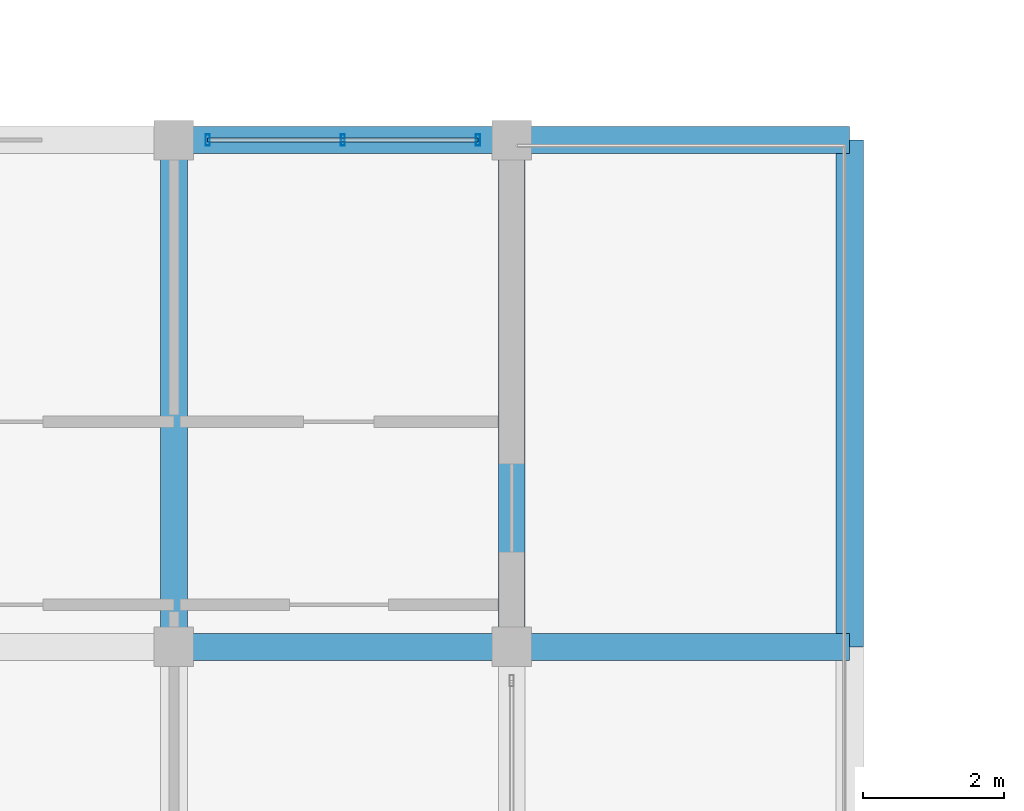
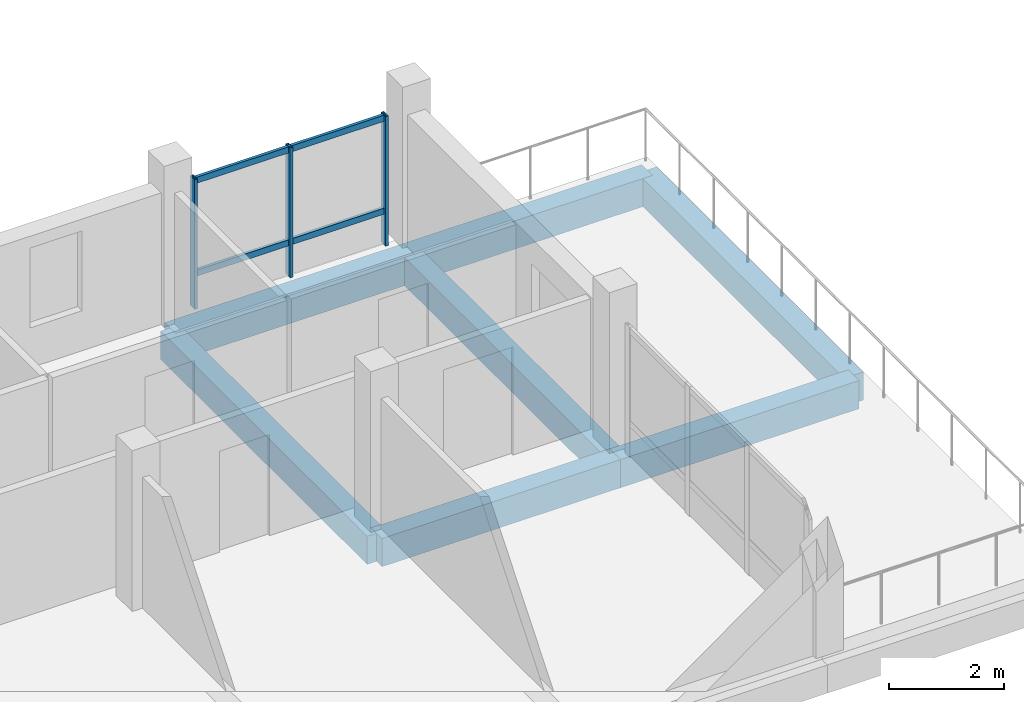
# One storey, part 9 of 84: 7 beams, 5 members, 1 element without a shape of its own.
"""IFC4 building model written with IfcOpenShell, lengths in metres."""

from ifc_helpers import new_model, si_unit, direction, frame, origin, origin_2d, place, context, subcontext, project, spatial, rectangle, hollow_rectangle, extrude, material, material_profile, profile_set, type_object, element, aggregate, save


model = new_model("IFC4")

# Units and contexts
model_context = context("Model", 3, precision=1e-05, world=origin(), true_north=direction((0.0, 1.0)))
body_context = subcontext(model_context, "Body", "Model", "MODEL_VIEW")
ifc_project = project(units=[si_unit("LENGTHUNIT", "METRE"), si_unit("AREAUNIT", "SQUARE_METRE"), si_unit("VOLUMEUNIT", "CUBIC_METRE"), si_unit("PLANEANGLEUNIT", "RADIAN"), si_unit("MASSUNIT", "GRAM", prefix="KILO")], contexts=[model_context])

# Site, building, storey
site_placement = place(None, origin())
site = spatial("IfcSite", under=ifc_project, at=site_placement, CompositionType="ELEMENT")
building_placement = place(site_placement, origin())
building = spatial("IfcBuilding", under=site, at=building_placement, Name="Zornivar Specialist Clinic", CompositionType="ELEMENT")
storey_placement = place(building_placement, frame((0.0, 0.0, 12.300048828125)))
storey = spatial("IfcBuildingStorey", under=building, at=storey_placement, Name="L03", CompositionType="ELEMENT", Elevation=12.300048828125)

# Beams
ifc_material_1 = material(Name="Concrete C30/37", Category="concrete")
ifc_material_profile_1 = material_profile(ifc_material_1, rectangle(XDim=0.3798828125, YDim=0.60009765625, at=origin_2d()), Name="RC 380x600")
ifc_profile_set_1 = profile_set([ifc_material_profile_1], Name="Concrete C30/37")
beam_type_1 = type_object("IfcBeamType", Name="BM-RC-380x600", PredefinedType="BEAM", material=ifc_profile_set_1)
beam_1_placement = place(storey_placement, frame((33.60009765625, 7.199951171875, -0.580078125), z_axis=(1.0, 0.0, 0.0), x_axis=(0.0, 1.0, 0.0)))
element("IfcBeam", 1, at=beam_1_placement, inside=storey, type_object=beam_type_1, Name="bm:V2:L03:x:72:5", PredefinedType="BEAM", context=body_context, shape_type="SweptSolid", body=[
    extrude(rectangle(XDim=0.3798828125, YDim=0.60009765625, at=origin_2d()), origin(), (0.0, 0.0, 1.0), 4.7998046875),
])
beam_2_placement = place(storey_placement, frame((38.39990234375, 7.199951171875, -0.580078125), z_axis=(1.0, 0.0, 0.0), x_axis=(0.0, 1.0, 0.0)))
element("IfcBeam", 2, at=beam_2_placement, inside=storey, type_object=beam_type_1, Name="bm:V2:L03:x:72:6", PredefinedType="BEAM", context=body_context, shape_type="SweptSolid", body=[
    extrude(rectangle(XDim=0.3798828125, YDim=0.60009765625, at=origin_2d()), origin(), (0.0, 0.0, 1.0), 4.800048828125),
])
beam_3_placement = place(storey_placement, frame((33.60009765625, 14.39990234375, -0.580078125), z_axis=(1.0, 0.0, 0.0), x_axis=(0.0, 1.0, 0.0)))
element("IfcBeam", 3, at=beam_3_placement, inside=storey, type_object=beam_type_1, Name="bm:V2:L03:x:144:5", PredefinedType="BEAM", context=body_context, shape_type="SweptSolid", body=[
    extrude(rectangle(XDim=0.3798828125, YDim=0.60009765625, at=origin_2d()), origin(), (0.0, 0.0, 1.0), 4.7998046875),
])
beam_4_placement = place(storey_placement, frame((38.39990234375, 14.39990234375, -0.580078125), z_axis=(1.0, 0.0, 0.0), x_axis=(0.0, 1.0, 0.0)))
element("IfcBeam", 4, at=beam_4_placement, inside=storey, type_object=beam_type_1, Name="bm:V2:L03:x:144:6", PredefinedType="BEAM", context=body_context, shape_type="SweptSolid", body=[
    extrude(rectangle(XDim=0.3798828125, YDim=0.60009765625, at=origin_2d()), origin(), (0.0, 0.0, 1.0), 4.800048828125),
])
for number, where, z_axis, x_axis, name in (
    (5, (33.60009765625, 7.199951171875, -0.580078125), (0.0, 1.0, 0.0), (-1.0, 0.0, 0.0), "bm:V2:L03:y:336:1"),
    (6, (38.39990234375, 7.199951171875, -0.580078125), (0.0, 1.0, 0.0), (-1.0, 0.0, 0.0), "bm:V2:L03:y:384:1"),
):
    element("IfcBeam", number, at=place(storey_placement, frame(where, z_axis=z_axis, x_axis=x_axis)), inside=storey, type_object=beam_type_1, Name=name, PredefinedType="BEAM", context=body_context, shape_type="SweptSolid", body=[
        extrude(rectangle(XDim=0.3798828125, YDim=0.60009765625, at=origin_2d()), origin(), (0.0, 0.0, 1.0), 7.199951171875),
    ])
ifc_material_2 = material(Name="Concrete C30/37", Category="concrete")
ifc_material_profile_2 = material_profile(ifc_material_2, rectangle(XDim=0.389892578125, YDim=0.60009765625, at=origin_2d()), Name="RC 390x600")
ifc_profile_set_2 = profile_set([ifc_material_profile_2], Name="Concrete C30/37")
beam_type_2 = type_object("IfcBeamType", Name="BM-RC-SPANDREL-390x600", PredefinedType="SPANDREL", material=ifc_profile_set_2)
beam_5_placement = place(storey_placement, frame((43.199951171875, 7.199951171875, -0.580078125), z_axis=(0.0, 1.0, 0.0), x_axis=(-1.0, 0.0, 0.0)))
element("IfcBeam", 7, at=beam_5_placement, inside=storey, type_object=beam_type_2, Name="bm:V2:L03:y:432:1", PredefinedType="SPANDREL", context=body_context, shape_type="SweptSolid", body=[
    extrude(rectangle(XDim=0.389892578125, YDim=0.60009765625, at=origin_2d()), origin(), (0.0, 0.0, 1.0), 7.199951171875),
])

# Curtain wall, members
ifc_material_3 = material(Name="Aluminium and Low-E Glass Curtain Wall", Category="aluminium")
curtain_wall_type = type_object("IfcCurtainWallType", Name="CW-REVAK-COURT", PredefinedType="NOTDEFINED", material=ifc_material_3)
curtain_wall_placement = place(storey_placement, origin())
curtain_wall = element("IfcCurtainWall", 8, at=curtain_wall_placement, inside=storey, type_object=curtain_wall_type, Name="cw:V2:L03:08", PredefinedType="NOTDEFINED")
ifc_material_4 = material(Name="Aluminium AW-6060", Category="aluminium")
ifc_material_profile_3 = material_profile(ifc_material_4, hollow_rectangle(XDim=0.06005859375, YDim=0.159912109375, WallThickness=0.00390625, at=origin_2d()), Name="ALU 60x160x4")
ifc_profile_set_3 = profile_set([ifc_material_profile_3], Name="Aluminium AW-6060")
member_type_1 = type_object("IfcMemberType", Name="CWM-MUL-160", PredefinedType="MULLION", material=ifc_profile_set_3)
member_1_placement = place(storey_placement, frame((37.919921875, 14.39990234375, 0.0), z_axis=(0.0, 0.0, 1.0), x_axis=(1.0, 0.0, 0.0)))
member_1 = element("IfcMember", 9, at=member_1_placement, type_object=member_type_1, Name="cw:V2:L03:08:mul:0", PredefinedType="MULLION", context=body_context, shape_type="SweptSolid", body=[
    extrude(hollow_rectangle(XDim=0.06005859375, YDim=0.159912109375, WallThickness=0.00390625, at=origin_2d()), origin(), (0.0, 0.0, 1.0), 2.760009765625),
])
member_2_placement = place(storey_placement, frame((36.0, 14.39990234375, 0.0), z_axis=(0.0, 0.0, 1.0), x_axis=(1.0, 0.0, 0.0)))
member_2 = element("IfcMember", 10, at=member_2_placement, type_object=member_type_1, Name="cw:V2:L03:08:mul:1", PredefinedType="MULLION", context=body_context, shape_type="SweptSolid", body=[
    extrude(hollow_rectangle(XDim=0.06005859375, YDim=0.159912109375, WallThickness=0.00390625, at=origin_2d()), origin(), (0.0, 0.0, 1.0), 2.760009765625),
])
member_3_placement = place(storey_placement, frame((34.080078125, 14.39990234375, 0.0), z_axis=(0.0, 0.0, 1.0), x_axis=(1.0, 0.0, 0.0)))
member_3 = element("IfcMember", 11, at=member_3_placement, type_object=member_type_1, Name="cw:V2:L03:08:mul:2", PredefinedType="MULLION", context=body_context, shape_type="SweptSolid", body=[
    extrude(hollow_rectangle(XDim=0.06005859375, YDim=0.159912109375, WallThickness=0.00390625, at=origin_2d()), origin(), (0.0, 0.0, 1.0), 2.760009765625),
])
ifc_material_5 = material(Name="Aluminium AW-6060", Category="aluminium")
ifc_material_profile_4 = material_profile(ifc_material_5, hollow_rectangle(XDim=0.06005859375, YDim=0.1298828125, WallThickness=0.00390625, at=origin_2d()), Name="ALU 60x130x4")
ifc_profile_set_4 = profile_set([ifc_material_profile_4], Name="Aluminium AW-6060")
member_type_2 = type_object("IfcMemberType", Name="CWM-TRN-130", PredefinedType="USERDEFINED", material=ifc_profile_set_4)
member_4_placement = place(storey_placement, frame((37.919921875, 14.39990234375, 0.718017578125), z_axis=(-1.0, 0.0, 0.0), x_axis=(0.0, -1.0, 0.0)))
member_4 = element("IfcMember", 12, at=member_4_placement, type_object=member_type_2, Name="cw:V2:L03:08:trn:0", ObjectType="TRANSOM", PredefinedType="USERDEFINED", context=body_context, shape_type="SweptSolid", body=[
    extrude(hollow_rectangle(XDim=0.06005859375, YDim=0.1298828125, WallThickness=0.00390625, at=origin_2d()), origin(), (0.0, 0.0, 1.0), 3.83984375),
])
member_5_placement = place(storey_placement, frame((37.919921875, 14.39990234375, 2.695068359375), z_axis=(-1.0, 0.0, 0.0), x_axis=(0.0, -1.0, 0.0)))
member_5 = element("IfcMember", 13, at=member_5_placement, type_object=member_type_2, Name="cw:V2:L03:08:trn:1", ObjectType="TRANSOM", PredefinedType="USERDEFINED", context=body_context, shape_type="SweptSolid", body=[
    extrude(hollow_rectangle(XDim=0.06005859375, YDim=0.1298828125, WallThickness=0.00390625, at=origin_2d()), origin(), (0.0, 0.0, 1.0), 3.83984375),
])
aggregate(curtain_wall, [member_1, member_2, member_3, member_4, member_5])

save(model, "model.ifc")
